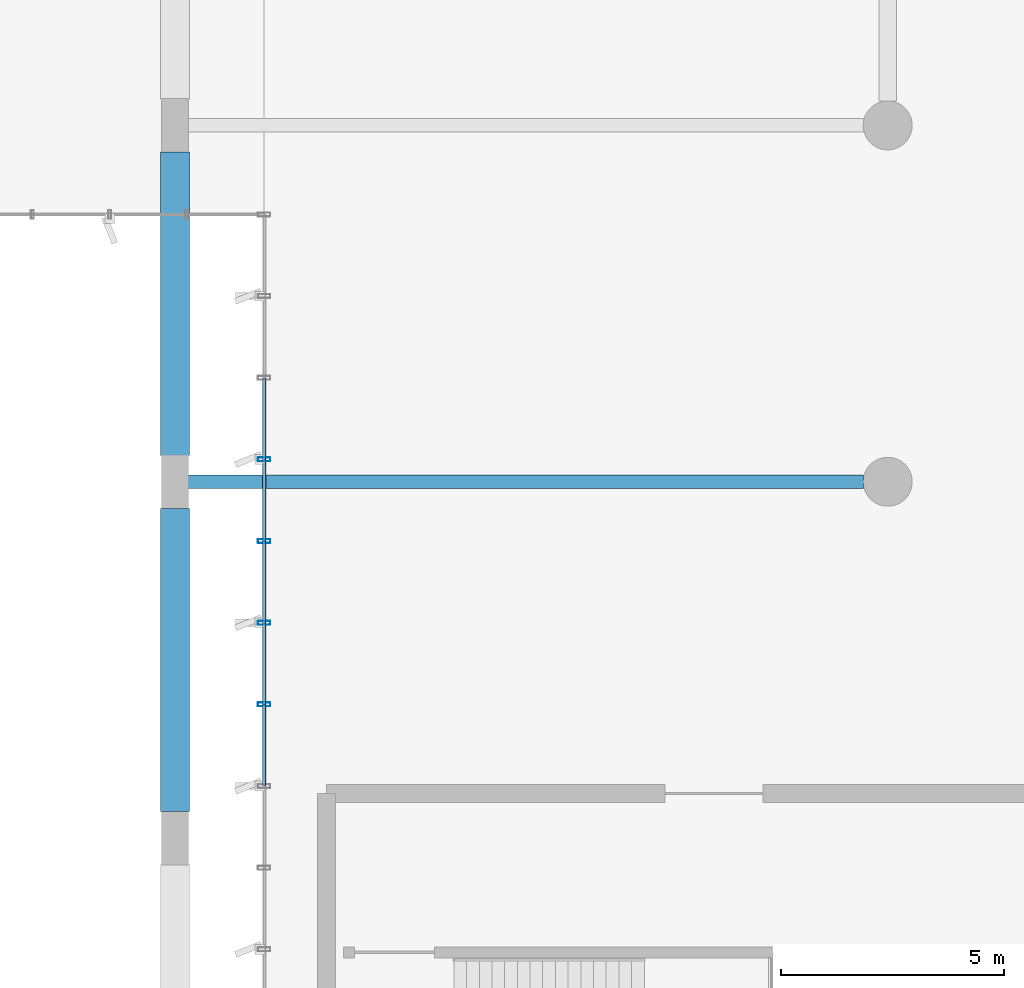
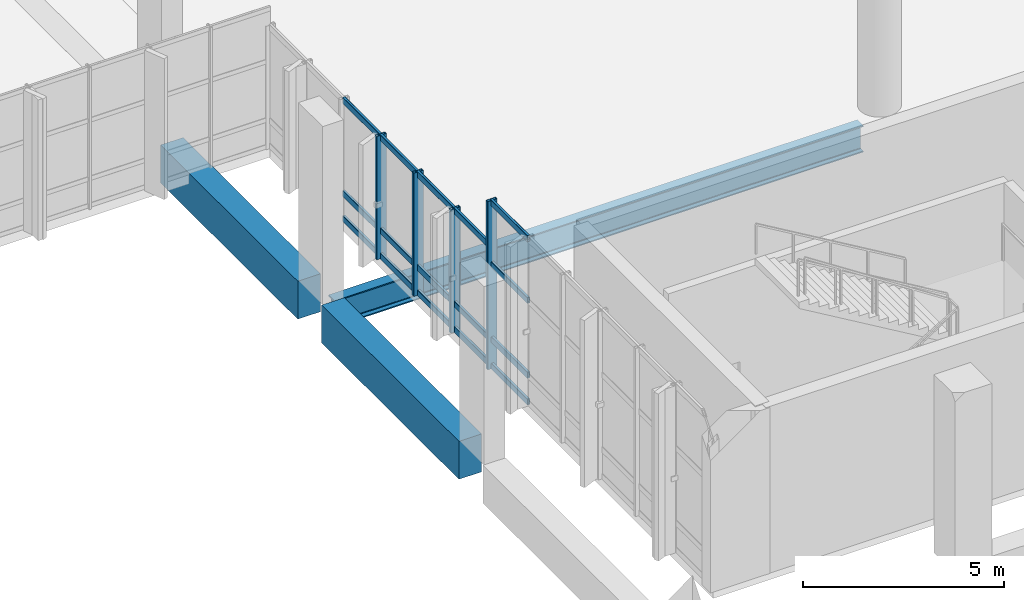
# One storey, part 29 of 176: 20 members, 3 beams, 2 elements without a shape of their own.
"""IFC4 building model written with IfcOpenShell, lengths in metres."""

from ifc_helpers import new_model, si_unit, direction, frame, origin, origin_2d, place, context, subcontext, project, spatial, rectangle, hollow_rectangle, i_section, extrude, material, layer, layer_set, material_profile, profile_set, type_object, element, aggregate, save


model = new_model("IFC4")

# Units and contexts
model_context = context("Model", 3, precision=1e-05, world=origin(), true_north=direction((0.0, 1.0)))
body_context = subcontext(model_context, "Body", "Model", "MODEL_VIEW")
ifc_project = project(units=[si_unit("LENGTHUNIT", "METRE"), si_unit("AREAUNIT", "SQUARE_METRE"), si_unit("VOLUMEUNIT", "CUBIC_METRE"), si_unit("PLANEANGLEUNIT", "RADIAN"), si_unit("MASSUNIT", "GRAM", prefix="KILO")], contexts=[model_context])

# Site, building, storey
site_placement = place(None, origin())
site = spatial("IfcSite", under=ifc_project, at=site_placement, CompositionType="ELEMENT")
building_placement = place(site_placement, origin())
building = spatial("IfcBuilding", under=site, at=building_placement, Name="Khorjan Park Terminus", CompositionType="ELEMENT")
storey_placement = place(building_placement, frame((0.0, 0.0, 6.0)))
storey = spatial("IfcBuildingStorey", under=building, at=storey_placement, Name="L01", CompositionType="ELEMENT", Elevation=6.0)

# Beam
ifc_material_1 = material(Name="Steel S355", Category="steel")
ifc_material_profile_1 = material_profile(ifc_material_1, i_section(OverallWidth=0.3, OverallDepth=0.8, WebThickness=0.0175, FlangeThickness=0.033, FilletRadius=0.03, at=origin_2d()), Name="HEB 800")
ifc_profile_set_1 = profile_set([ifc_material_profile_1], Name="Steel S355")
beam_type_1 = type_object("IfcBeamType", Name="BM-HEB800", PredefinedType="BEAM", material=ifc_profile_set_1)
beam_placement = place(storey_placement, frame((48.295, 44.0, -0.76), z_axis=(1.0, 0.0, 0.0), x_axis=(0.0, 1.0, 0.0)))
element("IfcBeam", 1, at=beam_placement, inside=storey, type_object=beam_type_1, Name="Primary floor girder SB-B80 (L01)", PredefinedType="BEAM", context=body_context, shape_type="SweptSolid", body=[
    extrude(i_section(OverallWidth=0.3, OverallDepth=0.8, WebThickness=0.0175, FlangeThickness=0.033, FilletRadius=0.03, at=origin_2d()), origin(), (0.0, 0.0, 1.0), 15.16),
])

# Curtain wall, member
ifc_material_2 = material(Name="Anodized Bronze Aluminium", Category="aluminium")
ifc_layer = layer(ifc_material_2, 0.22)
ifc_layer_set = layer_set([ifc_layer], Name="Anodized Bronze Aluminium")
curtain_wall_type = type_object("IfcCurtainWallType", Name="CW-CONC-A", PredefinedType="NOTDEFINED", material=ifc_layer_set)
curtain_wall_1_placement = place(storey_placement, origin())
curtain_wall_1 = element("IfcCurtainWall", 2, at=curtain_wall_1_placement, inside=storey, type_object=curtain_wall_type, Name="Unitized curtain wall CW-A (CW-V2-W-L01-01)", PredefinedType="NOTDEFINED")
ifc_material_profile_2 = material_profile(ifc_material_2, hollow_rectangle(XDim=0.09, YDim=0.28, WallThickness=0.006, InnerFilletRadius=0.006, OuterFilletRadius=0.012, at=origin_2d()), Name="ALM 90x280x6")
ifc_profile_set_2 = profile_set([ifc_material_profile_2], Name="Anodized Bronze Aluminium")
member_type_1 = type_object("IfcMemberType", Name="ML-ALM-280", PredefinedType="MULLION", material=ifc_profile_set_2)
member_1_placement = place(storey_placement, frame((50.0, 39.0, -0.035), z_axis=(0.0, 0.0, 1.0), x_axis=(0.0, -1.0, 0.0)))
member_1 = element("IfcMember", 3, at=member_1_placement, type_object=member_type_1, Name="Curtain-wall mullion ML-28 (CW-V2-W-L01-01-0)", PredefinedType="MULLION", context=body_context, shape_type="SweptSolid", body=[
    extrude(hollow_rectangle(XDim=0.09, YDim=0.28, WallThickness=0.006, InnerFilletRadius=0.006, OuterFilletRadius=0.012, at=origin_2d()), origin(), (0.0, 0.0, 1.0), 5.095),
])

# Curtain wall, members
curtain_wall_2_placement = place(storey_placement, origin())
curtain_wall_2 = element("IfcCurtainWall", 4, at=curtain_wall_2_placement, inside=storey, type_object=curtain_wall_type, Name="Unitized curtain wall CW-A (CW-V2-W-L01-02)", PredefinedType="NOTDEFINED")
member_2_placement = place(storey_placement, frame((50.0, 44.5, -0.035), z_axis=(0.0, 0.0, 1.0), x_axis=(0.0, -1.0, 0.0)))
member_2 = element("IfcMember", 5, at=member_2_placement, type_object=member_type_1, Name="Curtain-wall mullion ML-28 (CW-V2-W-L01-02-3)", PredefinedType="MULLION", context=body_context, shape_type="SweptSolid", body=[
    extrude(hollow_rectangle(XDim=0.09, YDim=0.28, WallThickness=0.006, InnerFilletRadius=0.006, OuterFilletRadius=0.012, at=origin_2d()), origin(), (0.0, 0.0, 1.0), 3.735),
])
member_3_placement = place(storey_placement, frame((50.0, 42.6667, -0.035), z_axis=(0.0, 0.0, 1.0), x_axis=(0.0, -1.0, 0.0)))
member_3 = element("IfcMember", 6, at=member_3_placement, type_object=member_type_1, Name="Curtain-wall mullion ML-28 (CW-V2-W-L01-02-4)", PredefinedType="MULLION", context=body_context, shape_type="SweptSolid", body=[
    extrude(hollow_rectangle(XDim=0.09, YDim=0.28, WallThickness=0.006, InnerFilletRadius=0.006, OuterFilletRadius=0.012, at=origin_2d()), origin(), (0.0, 0.0, 1.0), 3.735),
])
member_4_placement = place(storey_placement, frame((50.0, 40.8333, -0.035), z_axis=(0.0, 0.0, 1.0), x_axis=(0.0, -1.0, 0.0)))
member_4 = element("IfcMember", 7, at=member_4_placement, type_object=member_type_1, Name="Curtain-wall mullion ML-28 (CW-V2-W-L01-02-5)", PredefinedType="MULLION", context=body_context, shape_type="SweptSolid", body=[
    extrude(hollow_rectangle(XDim=0.09, YDim=0.28, WallThickness=0.006, InnerFilletRadius=0.006, OuterFilletRadius=0.012, at=origin_2d()), origin(), (0.0, 0.0, 1.0), 3.735),
])

# Beams
ifc_material_3 = material(Name="Concrete C50/60", Category="concrete")
ifc_material_profile_3 = material_profile(ifc_material_3, rectangle(XDim=0.65, YDim=1.15, at=origin_2d()), Name="RC 650x1150")
ifc_profile_set_3 = profile_set([ifc_material_profile_3], Name="Concrete C50/60")
beam_type_2 = type_object("IfcBeamType", Name="SP-RC650x1150", PredefinedType="SPANDREL", material=ifc_profile_set_3)
for number, where, z_axis, x_axis, name in (
    (8, (48.0, 36.595, -0.575), (0.0, 1.0, 0.0), (-1.0, 0.0, 0.0), "Concourse lower colonnade ring beam SP-11 (L01-25)"),
    (9, (48.0, 44.595, -0.575), (0.0, 1.0, 0.0), (-1.0, 0.0, 0.0), "Concourse lower colonnade ring beam SP-11 (L01-27)"),
):
    element("IfcBeam", number, at=place(storey_placement, frame(where, z_axis=z_axis, x_axis=x_axis)), inside=storey, type_object=beam_type_2, Name=name, PredefinedType="SPANDREL", context=body_context, shape_type="SweptSolid", body=[
        extrude(rectangle(XDim=0.65, YDim=1.15, at=origin_2d()), origin(), (0.0, 0.0, 1.0), 6.81),
    ])

# Member
ifc_material_profile_4 = material_profile(ifc_material_2, hollow_rectangle(XDim=0.075, YDim=0.185, WallThickness=0.005, InnerFilletRadius=0.005, OuterFilletRadius=0.01, at=origin_2d()), Name="ALT 75x185x5")
ifc_profile_set_4 = profile_set([ifc_material_profile_4], Name="Anodized Bronze Aluminium")
member_type_2 = type_object("IfcMemberType", Name="TR-ALT-185", PredefinedType="USERDEFINED", material=ifc_profile_set_4)
member_5_placement = place(storey_placement, frame((50.0, 39.0, 0.04), z_axis=(0.0, -1.0, 0.0), x_axis=(1.0, 0.0, 0.0)))
member_5 = element("IfcMember", 10, at=member_5_placement, type_object=member_type_2, Name="Curtain-wall transom TR-18 (CW-V2-W-L01-01-0-1)", ObjectType="TRANSOM", PredefinedType="USERDEFINED", context=body_context, shape_type="SweptSolid", body=[
    extrude(hollow_rectangle(XDim=0.075, YDim=0.185, WallThickness=0.005, InnerFilletRadius=0.005, OuterFilletRadius=0.01, at=origin_2d()), origin(), (0.0, 0.0, 1.0), 1.8333),
])

member_6_placement = place(storey_placement, frame((50.0, 39.0, 0.85), z_axis=(0.0, -1.0, 0.0), x_axis=(1.0, 0.0, 0.0)))
member_6 = element("IfcMember", 11, at=member_6_placement, type_object=member_type_2, Name="Curtain-wall transom TR-18 (CW-V2-W-L01-01-0-2)", ObjectType="TRANSOM", PredefinedType="USERDEFINED", context=body_context, shape_type="SweptSolid", body=[
    extrude(hollow_rectangle(XDim=0.075, YDim=0.185, WallThickness=0.005, InnerFilletRadius=0.005, OuterFilletRadius=0.01, at=origin_2d()), origin(), (0.0, 0.0, 1.0), 1.8333),
])

member_7_placement = place(storey_placement, frame((50.0, 39.0, 3.1155), z_axis=(0.0, -1.0, 0.0), x_axis=(1.0, 0.0, 0.0)))
member_7 = element("IfcMember", 12, at=member_7_placement, type_object=member_type_2, Name="Curtain-wall transom TR-18 (CW-V2-W-L01-01-0-3)", ObjectType="TRANSOM", PredefinedType="USERDEFINED", context=body_context, shape_type="SweptSolid", body=[
    extrude(hollow_rectangle(XDim=0.075, YDim=0.185, WallThickness=0.005, InnerFilletRadius=0.005, OuterFilletRadius=0.01, at=origin_2d()), origin(), (0.0, 0.0, 1.0), 1.8333),
])

member_8_placement = place(storey_placement, frame((50.0, 39.0, 4.985), z_axis=(0.0, -1.0, 0.0), x_axis=(1.0, 0.0, 0.0)))
member_8 = element("IfcMember", 13, at=member_8_placement, type_object=member_type_2, Name="Curtain-wall transom TR-18 (CW-V2-W-L01-01-0-4)", ObjectType="TRANSOM", PredefinedType="USERDEFINED", context=body_context, shape_type="SweptSolid", body=[
    extrude(hollow_rectangle(XDim=0.075, YDim=0.185, WallThickness=0.005, InnerFilletRadius=0.005, OuterFilletRadius=0.01, at=origin_2d()), origin(), (0.0, 0.0, 1.0), 1.8333),
])

aggregate(curtain_wall_1, [member_1, member_5, member_6, member_7, member_8])

member_9_placement = place(storey_placement, frame((50.0, 46.3333, 0.04), z_axis=(0.0, -1.0, 0.0), x_axis=(1.0, 0.0, 0.0)))
member_9 = element("IfcMember", 14, at=member_9_placement, type_object=member_type_2, Name="Curtain-wall transom TR-18 (CW-V2-W-L01-02-2-1)", ObjectType="TRANSOM", PredefinedType="USERDEFINED", context=body_context, shape_type="SweptSolid", body=[
    extrude(hollow_rectangle(XDim=0.075, YDim=0.185, WallThickness=0.005, InnerFilletRadius=0.005, OuterFilletRadius=0.01, at=origin_2d()), origin(), (0.0, 0.0, 1.0), 1.8333),
])

member_10_placement = place(storey_placement, frame((50.0, 46.3333, 0.806), z_axis=(0.0, -1.0, 0.0), x_axis=(1.0, 0.0, 0.0)))
member_10 = element("IfcMember", 15, at=member_10_placement, type_object=member_type_2, Name="Curtain-wall transom TR-18 (CW-V2-W-L01-02-2-2)", ObjectType="TRANSOM", PredefinedType="USERDEFINED", context=body_context, shape_type="SweptSolid", body=[
    extrude(hollow_rectangle(XDim=0.075, YDim=0.185, WallThickness=0.005, InnerFilletRadius=0.005, OuterFilletRadius=0.01, at=origin_2d()), origin(), (0.0, 0.0, 1.0), 1.8333),
])

member_11_placement = place(storey_placement, frame((50.0, 46.3333, 3.625), z_axis=(0.0, -1.0, 0.0), x_axis=(1.0, 0.0, 0.0)))
member_11 = element("IfcMember", 16, at=member_11_placement, type_object=member_type_2, Name="Curtain-wall transom TR-18 (CW-V2-W-L01-02-2-3)", ObjectType="TRANSOM", PredefinedType="USERDEFINED", context=body_context, shape_type="SweptSolid", body=[
    extrude(hollow_rectangle(XDim=0.075, YDim=0.185, WallThickness=0.005, InnerFilletRadius=0.005, OuterFilletRadius=0.01, at=origin_2d()), origin(), (0.0, 0.0, 1.0), 1.8333),
])

member_12_placement = place(storey_placement, frame((50.0, 44.5, 0.04), z_axis=(0.0, -1.0, 0.0), x_axis=(1.0, 0.0, 0.0)))
member_12 = element("IfcMember", 17, at=member_12_placement, type_object=member_type_2, Name="Curtain-wall transom TR-18 (CW-V2-W-L01-02-3-1)", ObjectType="TRANSOM", PredefinedType="USERDEFINED", context=body_context, shape_type="SweptSolid", body=[
    extrude(hollow_rectangle(XDim=0.075, YDim=0.185, WallThickness=0.005, InnerFilletRadius=0.005, OuterFilletRadius=0.01, at=origin_2d()), origin(), (0.0, 0.0, 1.0), 1.8333),
])

member_13_placement = place(storey_placement, frame((50.0, 44.5, 0.806), z_axis=(0.0, -1.0, 0.0), x_axis=(1.0, 0.0, 0.0)))
member_13 = element("IfcMember", 18, at=member_13_placement, type_object=member_type_2, Name="Curtain-wall transom TR-18 (CW-V2-W-L01-02-3-2)", ObjectType="TRANSOM", PredefinedType="USERDEFINED", context=body_context, shape_type="SweptSolid", body=[
    extrude(hollow_rectangle(XDim=0.075, YDim=0.185, WallThickness=0.005, InnerFilletRadius=0.005, OuterFilletRadius=0.01, at=origin_2d()), origin(), (0.0, 0.0, 1.0), 1.8333),
])

member_14_placement = place(storey_placement, frame((50.0, 44.5, 3.625), z_axis=(0.0, -1.0, 0.0), x_axis=(1.0, 0.0, 0.0)))
member_14 = element("IfcMember", 19, at=member_14_placement, type_object=member_type_2, Name="Curtain-wall transom TR-18 (CW-V2-W-L01-02-3-3)", ObjectType="TRANSOM", PredefinedType="USERDEFINED", context=body_context, shape_type="SweptSolid", body=[
    extrude(hollow_rectangle(XDim=0.075, YDim=0.185, WallThickness=0.005, InnerFilletRadius=0.005, OuterFilletRadius=0.01, at=origin_2d()), origin(), (0.0, 0.0, 1.0), 1.8333),
])

member_15_placement = place(storey_placement, frame((50.0, 42.6667, 0.04), z_axis=(0.0, -1.0, 0.0), x_axis=(1.0, 0.0, 0.0)))
member_15 = element("IfcMember", 20, at=member_15_placement, type_object=member_type_2, Name="Curtain-wall transom TR-18 (CW-V2-W-L01-02-4-1)", ObjectType="TRANSOM", PredefinedType="USERDEFINED", context=body_context, shape_type="SweptSolid", body=[
    extrude(hollow_rectangle(XDim=0.075, YDim=0.185, WallThickness=0.005, InnerFilletRadius=0.005, OuterFilletRadius=0.01, at=origin_2d()), origin(), (0.0, 0.0, 1.0), 1.8334),
])

member_16_placement = place(storey_placement, frame((50.0, 42.6667, 0.806), z_axis=(0.0, -1.0, 0.0), x_axis=(1.0, 0.0, 0.0)))
member_16 = element("IfcMember", 21, at=member_16_placement, type_object=member_type_2, Name="Curtain-wall transom TR-18 (CW-V2-W-L01-02-4-2)", ObjectType="TRANSOM", PredefinedType="USERDEFINED", context=body_context, shape_type="SweptSolid", body=[
    extrude(hollow_rectangle(XDim=0.075, YDim=0.185, WallThickness=0.005, InnerFilletRadius=0.005, OuterFilletRadius=0.01, at=origin_2d()), origin(), (0.0, 0.0, 1.0), 1.8334),
])

member_17_placement = place(storey_placement, frame((50.0, 42.6667, 3.625), z_axis=(0.0, -1.0, 0.0), x_axis=(1.0, 0.0, 0.0)))
member_17 = element("IfcMember", 22, at=member_17_placement, type_object=member_type_2, Name="Curtain-wall transom TR-18 (CW-V2-W-L01-02-4-3)", ObjectType="TRANSOM", PredefinedType="USERDEFINED", context=body_context, shape_type="SweptSolid", body=[
    extrude(hollow_rectangle(XDim=0.075, YDim=0.185, WallThickness=0.005, InnerFilletRadius=0.005, OuterFilletRadius=0.01, at=origin_2d()), origin(), (0.0, 0.0, 1.0), 1.8334),
])

member_18_placement = place(storey_placement, frame((50.0, 40.8333, 0.04), z_axis=(0.0, -1.0, 0.0), x_axis=(1.0, 0.0, 0.0)))
member_18 = element("IfcMember", 23, at=member_18_placement, type_object=member_type_2, Name="Curtain-wall transom TR-18 (CW-V2-W-L01-02-5-1)", ObjectType="TRANSOM", PredefinedType="USERDEFINED", context=body_context, shape_type="SweptSolid", body=[
    extrude(hollow_rectangle(XDim=0.075, YDim=0.185, WallThickness=0.005, InnerFilletRadius=0.005, OuterFilletRadius=0.01, at=origin_2d()), origin(), (0.0, 0.0, 1.0), 1.8333),
])

member_19_placement = place(storey_placement, frame((50.0, 40.8333, 0.806), z_axis=(0.0, -1.0, 0.0), x_axis=(1.0, 0.0, 0.0)))
member_19 = element("IfcMember", 24, at=member_19_placement, type_object=member_type_2, Name="Curtain-wall transom TR-18 (CW-V2-W-L01-02-5-2)", ObjectType="TRANSOM", PredefinedType="USERDEFINED", context=body_context, shape_type="SweptSolid", body=[
    extrude(hollow_rectangle(XDim=0.075, YDim=0.185, WallThickness=0.005, InnerFilletRadius=0.005, OuterFilletRadius=0.01, at=origin_2d()), origin(), (0.0, 0.0, 1.0), 1.8333),
])

member_20_placement = place(storey_placement, frame((50.0, 40.8333, 3.625), z_axis=(0.0, -1.0, 0.0), x_axis=(1.0, 0.0, 0.0)))
member_20 = element("IfcMember", 25, at=member_20_placement, type_object=member_type_2, Name="Curtain-wall transom TR-18 (CW-V2-W-L01-02-5-3)", ObjectType="TRANSOM", PredefinedType="USERDEFINED", context=body_context, shape_type="SweptSolid", body=[
    extrude(hollow_rectangle(XDim=0.075, YDim=0.185, WallThickness=0.005, InnerFilletRadius=0.005, OuterFilletRadius=0.01, at=origin_2d()), origin(), (0.0, 0.0, 1.0), 1.8333),
])

aggregate(curtain_wall_2, [member_2, member_3, member_4, member_9, member_10, member_11, member_12, member_13, member_14, member_15, member_16, member_17, member_18, member_19, member_20])

save(model, "model.ifc")
